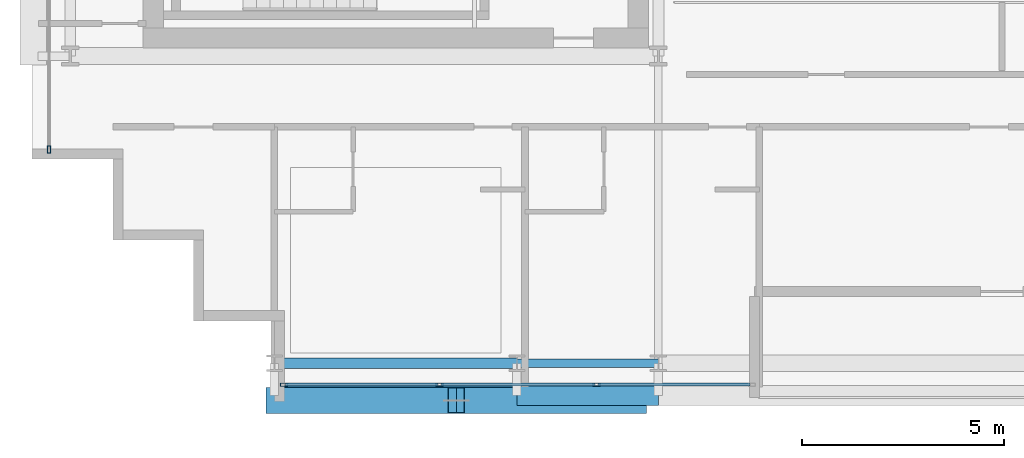
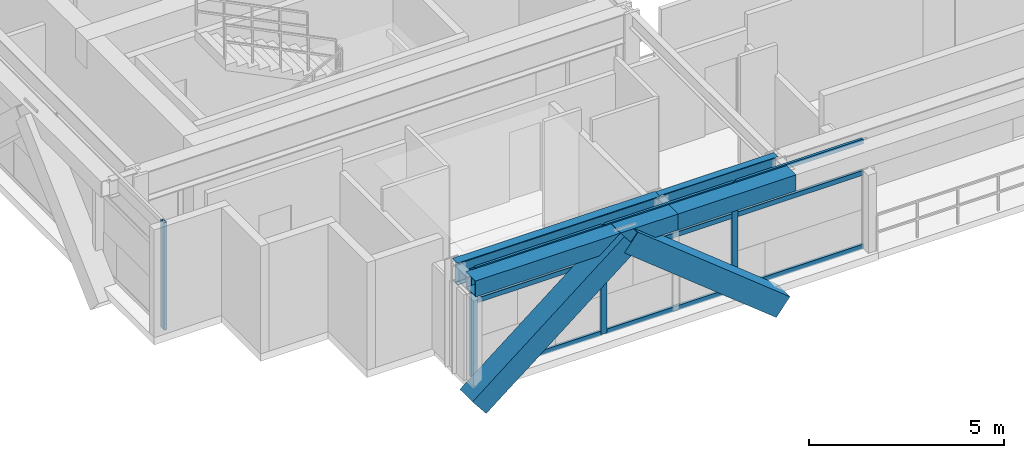
# One storey, part 2 of 31: 15 members, 4 beams, 2 elements without a shape of their own.
"""IFC4 building model written with IfcOpenShell, lengths in metres."""

from ifc_helpers import new_model, si_unit, direction, frame, origin, origin_2d, place, context, subcontext, project, spatial, hollow_rectangle, i_section, extrude, source, transform, mapped, material, layer, layer_set, material_profile, profile_set, type_object, element, aggregate, save


model = new_model("IFC4")

# Units and contexts
model_context = context("Model", 3, precision=1e-05, world=origin(), true_north=direction((0.0, 1.0)))
body_context = subcontext(model_context, "Body", "Model", "MODEL_VIEW")
ifc_project = project(units=[si_unit("LENGTHUNIT", "METRE"), si_unit("AREAUNIT", "SQUARE_METRE"), si_unit("VOLUMEUNIT", "CUBIC_METRE"), si_unit("PLANEANGLEUNIT", "RADIAN"), si_unit("MASSUNIT", "GRAM", prefix="KILO")], contexts=[model_context])

# Site, building, storey
site_placement = place(None, origin())
site = spatial("IfcSite", under=ifc_project, at=site_placement, CompositionType="ELEMENT")
building_placement = place(site_placement, origin())
building = spatial("IfcBuilding", under=site, at=building_placement, Name="Ocotamira Hotel", CompositionType="ELEMENT")
storey_placement = place(building_placement, frame((0.0, 0.0, 181.199951171875)))
storey = spatial("IfcBuildingStorey", under=building, at=storey_placement, Name="L45", CompositionType="ELEMENT", Elevation=181.199951171875)

# Beams
ifc_material_1 = material(Name="Steel ASTM A992 Grade 50", Category="steel")
ifc_material_profile_1 = material_profile(ifc_material_1, i_section(OverallWidth=0.256103515625, OverallDepth=0.693115234375, WebThickness=0.014404296875, FlangeThickness=0.023681640625, FilletRadius=0.01611328125, at=origin_2d()), Name="W27X114")
ifc_profile_set_1 = profile_set([ifc_material_profile_1], Name="Steel ASTM A992 Grade 50")
beam_type_1 = type_object("IfcBeamType", Name="BM-PRIM-W27X114", PredefinedType="BEAM", material=ifc_profile_set_1)
shared_shape_1 = source(origin(), body_context, "Body", "SweptSolid", [
    extrude(i_section(OverallWidth=0.256103515625, OverallDepth=0.693115234375, WebThickness=0.014404296875, FlangeThickness=0.023681640625, FilletRadius=0.01611328125, at=origin_2d()), origin(), (0.0, 0.0, 1.0), 6.0),
])
beam_1_placement = place(storey_placement, frame((14.0, 6.949951171875, 3.0234375), z_axis=(1.0, 0.0, 0.0), x_axis=(0.0, 1.0, 0.0)))
element("IfcBeam", 1, at=beam_1_placement, inside=storey, type_object=beam_type_1, Name="L45 Girder Y6.95 X14-20", PredefinedType="BEAM", context=body_context, shape_type="MappedRepresentation", body=[
    mapped(shared_shape_1, transform((0.0, 0.0, 0.0), scale=1.0)),
])
ifc_material_profile_2 = material_profile(ifc_material_1, i_section(OverallWidth=0.2099609375, OverallDepth=0.537109375, WebThickness=0.010986328125, FlangeThickness=0.017333984375, FilletRadius=0.012939453125, at=origin_2d()), Name="W21X68")
ifc_profile_set_2 = profile_set([ifc_material_profile_2], Name="Steel ASTM A992 Grade 50")
beam_type_2 = type_object("IfcBeamType", Name="BM-SEC-W21X68", PredefinedType="JOIST", material=ifc_profile_set_2)
shared_shape_2 = source(origin(), body_context, "Body", "SweptSolid", [
    extrude(i_section(OverallWidth=0.2099609375, OverallDepth=0.537109375, WebThickness=0.010986328125, FlangeThickness=0.017333984375, FilletRadius=0.012939453125, at=origin_2d()), origin(), (0.0, 0.0, 1.0), 3.5),
])
beam_2_placement = place(storey_placement, frame((20.0, 6.949951171875, 3.1015625), z_axis=(1.0, 0.0, 0.0), x_axis=(0.0, 1.0, 0.0)))
element("IfcBeam", 2, at=beam_2_placement, inside=storey, type_object=beam_type_2, Name="L45 Girder Y6.95 X20-23.5", PredefinedType="JOIST", context=body_context, shape_type="MappedRepresentation", body=[
    mapped(shared_shape_2, transform((0.0, 0.0, 0.0), scale=1.0)),
])
ifc_material_2 = material(Name="Steel ASTM A500 Grade C", Category="steel")
ifc_material_profile_3 = material_profile(ifc_material_2, hollow_rectangle(XDim=0.5, YDim=0.5, WallThickness=0.02001953125, at=origin_2d()), Name="HSS500X500X20")
ifc_profile_set_3 = profile_set([ifc_material_profile_3], Name="Steel ASTM A500 Grade C")
beam_type_3 = type_object("IfcBeamType", Name="BM-SPAN-HSS500", PredefinedType="USERDEFINED", material=ifc_profile_set_3)
shared_shape_3 = source(origin(), body_context, "Body", "SweptSolid", [
    extrude(hollow_rectangle(XDim=0.5, YDim=0.5, WallThickness=0.02001953125, at=origin_2d()), origin(), (0.0, 0.0, 1.0), 6.0),
])
beam_3_placement = place(storey_placement, frame((14.0, 6.14990234375, 3.1201171875), z_axis=(1.0, 0.0, 0.0), x_axis=(0.0, 1.0, 0.0)))
element("IfcBeam", 3, at=beam_3_placement, inside=storey, type_object=beam_type_3, Name="L45 Edge Spandrel S X14-20", ObjectType="SPANDREL", PredefinedType="USERDEFINED", context=body_context, shape_type="MappedRepresentation", body=[
    mapped(shared_shape_3, transform((0.0, 0.0, 0.0), scale=1.0)),
])
shared_shape_4 = source(origin(), body_context, "Body", "SweptSolid", [
    extrude(hollow_rectangle(XDim=0.5, YDim=0.5, WallThickness=0.02001953125, at=origin_2d()), origin(), (0.0, 0.0, 1.0), 3.5),
])
beam_4_placement = place(storey_placement, frame((20.0, 6.14990234375, 3.1201171875), z_axis=(1.0, 0.0, 0.0), x_axis=(0.0, 1.0, 0.0)))
element("IfcBeam", 4, at=beam_4_placement, inside=storey, type_object=beam_type_3, Name="L45 Edge Spandrel S X20-23.5", ObjectType="SPANDREL", PredefinedType="USERDEFINED", context=body_context, shape_type="MappedRepresentation", body=[
    mapped(shared_shape_4, transform((0.0, 0.0, 0.0), scale=1.0)),
])

# Members
ifc_material_3 = material(Name="Pale-metal coated steel ASTM A913 Grade 65", Category="steel")
ifc_material_profile_4 = material_profile(ifc_material_3, hollow_rectangle(XDim=0.64990234375, YDim=0.64990234375, WallThickness=0.02197265625, at=origin_2d()), Name="BOX650X650X22")
ifc_profile_set_4 = profile_set([ifc_material_profile_4], Name="Pale-metal coated steel ASTM A913 Grade 65")
member_type_1 = type_object("IfcMemberType", Name="MEM-EXO-BOX650", PredefinedType="BRACE", material=ifc_profile_set_4)
shared_shape_5 = source(origin(), body_context, "Body", "SweptSolid", [
    extrude(hollow_rectangle(XDim=0.64990234375, YDim=0.64990234375, WallThickness=0.02197265625, at=origin_2d()), origin(), (0.0, 0.0, 1.0), 5.762939453125),
])
for number, where, z_axis, x_axis, name in (
    (5, (14.0, 6.030029296875, -0.47998046875), (0.780860543151, 0.0, 0.624705380279), (0.0, 1.0, 0.0), "L45 Exoskeleton Diagrid S0.1"),
    (6, (23.0, 6.030029296875, -0.47998046875), (-0.780860543151, 0.0, 0.624705380279), (0.0, -1.0, 0.0), "L45 Exoskeleton Diagrid S0.2"),
):
    element("IfcMember", number, at=place(storey_placement, frame(where, z_axis=z_axis, x_axis=x_axis)), inside=storey, type_object=member_type_1, Name=name, PredefinedType="BRACE", context=body_context, shape_type="MappedRepresentation", body=[
        mapped(shared_shape_5, transform((0.0, 0.0, 0.0), scale=1.0)),
    ])

# Curtain wall, members
ifc_material_4 = material(Name="Anodised pale-metal aluminium and solar glass", Category="aluminium")
ifc_layer = layer(ifc_material_4, 0.199951171875)
ifc_layer_set = layer_set([ifc_layer], Name="Anodised pale-metal aluminium and solar glass")
curtain_wall_type = type_object("IfcCurtainWallType", Name="CW-SYS4-Z3", PredefinedType="NOTDEFINED", material=ifc_layer_set)
curtain_wall_1_placement = place(storey_placement, origin())
curtain_wall_1 = element("IfcCurtainWall", 7, at=curtain_wall_1_placement, inside=storey, type_object=curtain_wall_type, Name="L45 Curtain Wall CW-4 CW-L45-S1", PredefinedType="NOTDEFINED")
ifc_material_5 = material(Name="Anodised pale-metal aluminium 6063-T6", Category="aluminium")
ifc_material_profile_5 = material_profile(ifc_material_5, hollow_rectangle(XDim=0.080078125, YDim=0.179931640625, WallThickness=0.006103515625, at=origin_2d()), Name="HSS180X80X6")
ifc_profile_set_5 = profile_set([ifc_material_profile_5], Name="Anodised pale-metal aluminium 6063-T6")
member_type_2 = type_object("IfcMemberType", Name="CWM-180X75", PredefinedType="MULLION", material=ifc_profile_set_5)
shared_shape_6 = source(origin(), body_context, "Body", "SweptSolid", [
    extrude(hollow_rectangle(XDim=0.080078125, YDim=0.179931640625, WallThickness=0.006103515625, at=origin_2d()), origin(), (0.0, 0.0, 1.0), 3.3701171875),
])
member_1_placement = place(storey_placement, frame((14.239990234375, 6.419921875, 0.0), z_axis=(0.0, 0.0, 1.0), x_axis=(0.0, 1.0, 0.0)))
member_1 = element("IfcMember", 8, at=member_1_placement, type_object=member_type_2, Name="CW-4 mullion 1", PredefinedType="MULLION", context=body_context, shape_type="MappedRepresentation", body=[
    mapped(shared_shape_6, transform((0.0, 0.0, 0.0), scale=1.0)),
])
member_2_placement = place(storey_placement, frame((18.083251953125, 6.419921875, 0.0), z_axis=(0.0, 0.0, 1.0), x_axis=(0.0, 1.0, 0.0)))
member_2 = element("IfcMember", 9, at=member_2_placement, type_object=member_type_2, Name="CW-4 mullion 2", PredefinedType="MULLION", context=body_context, shape_type="MappedRepresentation", body=[
    mapped(shared_shape_6, transform((0.0, 0.0, 0.0), scale=1.0)),
])
member_3_placement = place(storey_placement, frame((21.966552734375, 6.419921875, 0.0), z_axis=(0.0, 0.0, 1.0), x_axis=(0.0, 1.0, 0.0)))
member_3 = element("IfcMember", 10, at=member_3_placement, type_object=member_type_2, Name="CW-4 mullion 3", PredefinedType="MULLION", context=body_context, shape_type="MappedRepresentation", body=[
    mapped(shared_shape_6, transform((0.0, 0.0, 0.0), scale=1.0)),
])

# Curtain wall, member
curtain_wall_2_placement = place(storey_placement, origin())
curtain_wall_2 = element("IfcCurtainWall", 11, at=curtain_wall_2_placement, inside=storey, type_object=curtain_wall_type, Name="L45 Curtain Wall CW-4 CW-L45-W", PredefinedType="NOTDEFINED")
member_4_placement = place(storey_placement, frame((8.419921875, 12.239990234375, 0.0), z_axis=(0.0, 0.0, 1.0), x_axis=(-1.0, 0.0, 0.0)))
member_4 = element("IfcMember", 12, at=member_4_placement, type_object=member_type_2, Name="CW-4 mullion 1", PredefinedType="MULLION", context=body_context, shape_type="MappedRepresentation", body=[
    mapped(shared_shape_6, transform((0.0, 0.0, 0.0), scale=1.0)),
])
aggregate(curtain_wall_2, [member_4])

# Member
ifc_material_profile_6 = material_profile(ifc_material_5, hollow_rectangle(XDim=0.074951171875, YDim=0.14990234375, WallThickness=0.006103515625, at=origin_2d()), Name="HSS150X75X6")
ifc_profile_set_6 = profile_set([ifc_material_profile_6], Name="Anodised pale-metal aluminium 6063-T6")
member_type_3 = type_object("IfcMemberType", Name="CWT-150X75", PredefinedType="USERDEFINED", material=ifc_profile_set_6)
shared_shape_7 = source(origin(), body_context, "Body", "SweptSolid", [
    extrude(hollow_rectangle(XDim=0.074951171875, YDim=0.14990234375, WallThickness=0.006103515625, at=origin_2d()), origin(), (0.0, 0.0, 1.0), 3.76318359375),
])
member_5_placement = place(storey_placement, frame((14.280029296875, 6.419921875, 0.03759765625), z_axis=(1.0, 0.0, 0.0), x_axis=(0.0, 1.0, 0.0)))
member_5 = element("IfcMember", 13, at=member_5_placement, type_object=member_type_3, Name="CW-4 transom 1.1", ObjectType="TRANSOM", PredefinedType="USERDEFINED", context=body_context, shape_type="MappedRepresentation", body=[
    mapped(shared_shape_7, transform((0.0, 0.0, 0.0), scale=1.0)),
])

member_6_placement = place(storey_placement, frame((14.280029296875, 6.419921875, 2.35009765625), z_axis=(1.0, 0.0, 0.0), x_axis=(0.0, 1.0, 0.0)))
member_6 = element("IfcMember", 14, at=member_6_placement, type_object=member_type_3, Name="CW-4 transom 1.2", ObjectType="TRANSOM", PredefinedType="USERDEFINED", context=body_context, shape_type="MappedRepresentation", body=[
    mapped(shared_shape_7, transform((0.0, 0.0, 0.0), scale=1.0)),
])

member_7_placement = place(storey_placement, frame((14.280029296875, 6.419921875, 3.33251953125), z_axis=(1.0, 0.0, 0.0), x_axis=(0.0, 1.0, 0.0)))
member_7 = element("IfcMember", 15, at=member_7_placement, type_object=member_type_3, Name="CW-4 transom 1.3", ObjectType="TRANSOM", PredefinedType="USERDEFINED", context=body_context, shape_type="MappedRepresentation", body=[
    mapped(shared_shape_7, transform((0.0, 0.0, 0.0), scale=1.0)),
])

shared_shape_8 = source(origin(), body_context, "Body", "SweptSolid", [
    extrude(hollow_rectangle(XDim=0.074951171875, YDim=0.14990234375, WallThickness=0.006103515625, at=origin_2d()), origin(), (0.0, 0.0, 1.0), 3.803466796875),
])
member_8_placement = place(storey_placement, frame((18.123291015625, 6.419921875, 0.03759765625), z_axis=(1.0, 0.0, 0.0), x_axis=(0.0, 1.0, 0.0)))
member_8 = element("IfcMember", 16, at=member_8_placement, type_object=member_type_3, Name="CW-4 transom 2.1", ObjectType="TRANSOM", PredefinedType="USERDEFINED", context=body_context, shape_type="MappedRepresentation", body=[
    mapped(shared_shape_8, transform((0.0, 0.0, 0.0), scale=1.0)),
])

member_9_placement = place(storey_placement, frame((18.123291015625, 6.419921875, 2.35009765625), z_axis=(1.0, 0.0, 0.0), x_axis=(0.0, 1.0, 0.0)))
member_9 = element("IfcMember", 17, at=member_9_placement, type_object=member_type_3, Name="CW-4 transom 2.2", ObjectType="TRANSOM", PredefinedType="USERDEFINED", context=body_context, shape_type="MappedRepresentation", body=[
    mapped(shared_shape_8, transform((0.0, 0.0, 0.0), scale=1.0)),
])

member_10_placement = place(storey_placement, frame((18.123291015625, 6.419921875, 3.33251953125), z_axis=(1.0, 0.0, 0.0), x_axis=(0.0, 1.0, 0.0)))
member_10 = element("IfcMember", 18, at=member_10_placement, type_object=member_type_3, Name="CW-4 transom 2.3", ObjectType="TRANSOM", PredefinedType="USERDEFINED", context=body_context, shape_type="MappedRepresentation", body=[
    mapped(shared_shape_8, transform((0.0, 0.0, 0.0), scale=1.0)),
])

shared_shape_9 = source(origin(), body_context, "Body", "SweptSolid", [
    extrude(hollow_rectangle(XDim=0.074951171875, YDim=0.14990234375, WallThickness=0.006103515625, at=origin_2d()), origin(), (0.0, 0.0, 1.0), 3.763427734375),
])
member_11_placement = place(storey_placement, frame((22.006591796875, 6.419921875, 0.03759765625), z_axis=(1.0, 0.0, 0.0), x_axis=(0.0, 1.0, 0.0)))
member_11 = element("IfcMember", 19, at=member_11_placement, type_object=member_type_3, Name="CW-4 transom 3.1", ObjectType="TRANSOM", PredefinedType="USERDEFINED", context=body_context, shape_type="MappedRepresentation", body=[
    mapped(shared_shape_9, transform((0.0, 0.0, 0.0), scale=1.0)),
])

member_12_placement = place(storey_placement, frame((22.006591796875, 6.419921875, 2.35009765625), z_axis=(1.0, 0.0, 0.0), x_axis=(0.0, 1.0, 0.0)))
member_12 = element("IfcMember", 20, at=member_12_placement, type_object=member_type_3, Name="CW-4 transom 3.2", ObjectType="TRANSOM", PredefinedType="USERDEFINED", context=body_context, shape_type="MappedRepresentation", body=[
    mapped(shared_shape_9, transform((0.0, 0.0, 0.0), scale=1.0)),
])

member_13_placement = place(storey_placement, frame((22.006591796875, 6.419921875, 3.33251953125), z_axis=(1.0, 0.0, 0.0), x_axis=(0.0, 1.0, 0.0)))
member_13 = element("IfcMember", 21, at=member_13_placement, type_object=member_type_3, Name="CW-4 transom 3.3", ObjectType="TRANSOM", PredefinedType="USERDEFINED", context=body_context, shape_type="MappedRepresentation", body=[
    mapped(shared_shape_9, transform((0.0, 0.0, 0.0), scale=1.0)),
])

aggregate(curtain_wall_1, [member_1, member_2, member_3, member_5, member_6, member_7, member_8, member_9, member_10, member_11, member_12, member_13])

save(model, "model.ifc")
